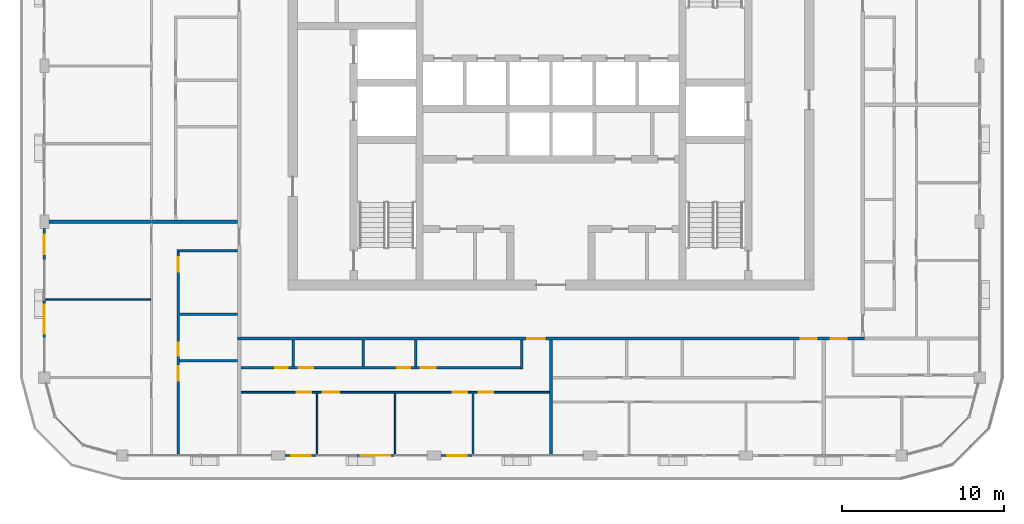
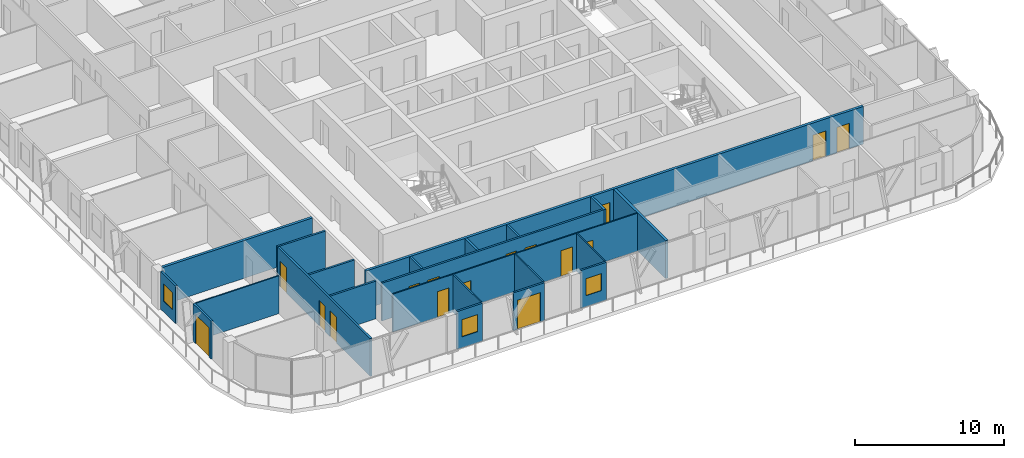
# One storey, part 9 of 22: 22 walls, 16 doors, 3 windows, 19 openings.
"""IFC4 building model written with IfcOpenShell, lengths in metres."""

from ifc_helpers import new_model, si_unit, direction, frame, frame_2d, origin, place, context, subcontext, project, spatial, rectangle, extrude, material, layer, layer_set, type_object, element, fill, save


model = new_model("IFC4")

# Units and contexts
model_context = context("Model", 3, precision=1e-05, world=origin(), true_north=direction((0.0, 1.0)))
body_context = subcontext(model_context, "Body", "Model", "MODEL_VIEW")
ifc_project = project(units=[si_unit("LENGTHUNIT", "METRE"), si_unit("AREAUNIT", "SQUARE_METRE"), si_unit("VOLUMEUNIT", "CUBIC_METRE"), si_unit("PLANEANGLEUNIT", "RADIAN"), si_unit("MASSUNIT", "GRAM", prefix="KILO")], contexts=[model_context])

# Site, building, storey
site_placement = place(None, origin())
site = spatial("IfcSite", under=ifc_project, at=site_placement, CompositionType="ELEMENT")
building_placement = place(site_placement, origin())
building = spatial("IfcBuilding", under=site, at=building_placement, Name="Madar Terraces", CompositionType="ELEMENT")
storey_placement = place(building_placement, frame((0.0, 0.0, 259.699951171875)))
storey = spatial("IfcBuildingStorey", under=building, at=storey_placement, Name="L68", CompositionType="ELEMENT", Elevation=259.699951171875)

# Wall, opening, window
ifc_material_1 = material(Name="Aluminium composite panel, black, over insulated backing", Category="aluminium")
ifc_layer_1 = layer(ifc_material_1, 0.14990234375)
ifc_layer_set_1 = layer_set([ifc_layer_1], Name="Facade bay panel 150")
wall_type_1 = type_object("IfcWallType", Name="Facade bay panel 150", PredefinedType="SOLIDWALL", material=ifc_layer_set_1)
wall_1_placement = place(storey_placement, frame((14.824951171875, 4.800048828125, 0.0), z_axis=(0.0, 0.0, 1.0), x_axis=(1.0, 0.0, 0.0)))
wall_1 = element("IfcWall", 1, at=wall_1_placement, inside=storey, type_object=wall_type_1, Name="Facade bay panel", PredefinedType="SOLIDWALL", context=body_context, shape_type="SweptSolid", body=[
    extrude(rectangle(XDim=1.97509765625, YDim=0.14990234375, at=frame_2d((0.987548828125, 0.0))), origin(), (0.0, 0.0, 1.0), 3.10009765625),
])
opening_1_placement = place(wall_1_placement, frame((0.387451171875, 0.0, 0.89990234375)))
opening_1 = element("IfcOpeningElement", 2, at=opening_1_placement, cuts=wall_1, Name="Opening W1", PredefinedType="OPENING", context=body_context, shape_type="SweptSolid", body=[
    extrude(rectangle(XDim=1.199951171875, YDim=1.39990234375, at=frame_2d((0.60009765625, 0.699951171875))), frame((0.0, 0.0849609375, 0.0), z_axis=(0.0, -1.0, 0.0), x_axis=(1.0, 0.0, 0.0)), (0.0, 0.0, 1.0), 0.169921875),
])
ifc_material_2 = material(Name="Glass, clear, with black aluminium frame", Category="aluminium")
window_type = type_object("IfcWindowType", Name="Vent window 1200 x 1400", PartitioningType="SINGLE_PANEL", PredefinedType="WINDOW", material=ifc_material_2)
window_1_placement = place(opening_1_placement, origin())
window_1 = element("IfcWindow", 3, at=window_1_placement, inside=storey, type_object=window_type, Name="Operable vent window", OverallHeight=1.39990234375, OverallWidth=1.199951171875, PartitioningType="SINGLE_PANEL", PredefinedType="WINDOW", context=body_context, shape_type="SweptSolid", body=[
    extrude(rectangle(XDim=1.199951171875, YDim=1.39990234375, at=frame_2d((0.60009765625, 0.699951171875))), frame((0.0, 0.030029296875, 0.0), z_axis=(0.0, -1.0, 0.0), x_axis=(1.0, 0.0, 0.0)), (0.0, 0.0, 1.0), 0.06005859375),
])
fill(opening_1, window_1)

# Wall, opening, door
wall_2_placement = place(storey_placement, frame((19.199951171875, 4.800048828125, 0.0), z_axis=(0.0, 0.0, 1.0), x_axis=(1.0, 0.0, 0.0)))
wall_2 = element("IfcWall", 4, at=wall_2_placement, inside=storey, type_object=wall_type_1, Name="Facade bay panel", PredefinedType="SOLIDWALL", context=body_context, shape_type="SweptSolid", body=[
    extrude(rectangle(XDim=2.400146484375, YDim=0.14990234375, at=frame_2d((1.2001953125, 0.0))), origin(), (0.0, 0.0, 1.0), 3.10009765625),
])
opening_2_placement = place(wall_2_placement, frame((0.300048828125, 0.0, 0.0)))
opening_2 = element("IfcOpeningElement", 5, at=opening_2_placement, cuts=wall_2, Name="Opening ED1", PredefinedType="OPENING", context=body_context, shape_type="SweptSolid", body=[
    extrude(rectangle(XDim=1.800048828125, YDim=2.39990234375, at=frame_2d((0.89990234375, 1.199951171875))), frame((0.0, 0.0849609375, 0.0), z_axis=(0.0, -1.0, 0.0), x_axis=(1.0, 0.0, 0.0)), (0.0, 0.0, 1.0), 0.169921875),
])
ifc_material_3 = material(Name="Glass, clear, with black aluminium frame", Category="aluminium")
door_type_1 = type_object("IfcDoorType", Name="Balcony and terrace sliding door 1800 x 2400", OperationType="SLIDING_TO_LEFT", PredefinedType="DOOR", material=ifc_material_3)
door_1_placement = place(opening_2_placement, origin())
door_1 = element("IfcDoor", 6, at=door_1_placement, inside=storey, type_object=door_type_1, Name="Balcony door", OperationType="SLIDING_TO_LEFT", OverallHeight=2.39990234375, OverallWidth=1.800048828125, PredefinedType="DOOR", context=body_context, shape_type="SweptSolid", body=[
    extrude(rectangle(XDim=1.800048828125, YDim=2.39990234375, at=frame_2d((0.89990234375, 1.199951171875))), frame((0.0, 0.02490234375, 0.0), z_axis=(0.0, -1.0, 0.0), x_axis=(1.0, 0.0, 0.0)), (0.0, 0.0, 1.0), 0.050048828125),
])
fill(opening_2, door_1)

# Wall, opening, window
wall_3_placement = place(storey_placement, frame((24.425048828125, 4.800048828125, 0.0), z_axis=(0.0, 0.0, 1.0), x_axis=(1.0, 0.0, 0.0)))
wall_3 = element("IfcWall", 7, at=wall_3_placement, inside=storey, type_object=wall_type_1, Name="Facade bay panel", PredefinedType="SOLIDWALL", context=body_context, shape_type="SweptSolid", body=[
    extrude(rectangle(XDim=1.974853515625, YDim=0.14990234375, at=frame_2d((0.9873046875, 0.0))), origin(), (0.0, 0.0, 1.0), 3.10009765625),
])
opening_3_placement = place(wall_3_placement, frame((0.387451171875, 0.0, 0.89990234375)))
opening_3 = element("IfcOpeningElement", 8, at=opening_3_placement, cuts=wall_3, Name="Opening W1", PredefinedType="OPENING", context=body_context, shape_type="SweptSolid", body=[
    extrude(rectangle(XDim=1.199951171875, YDim=1.39990234375, at=frame_2d((0.60009765625, 0.699951171875))), frame((0.0, 0.0849609375, 0.0), z_axis=(0.0, -1.0, 0.0), x_axis=(1.0, 0.0, 0.0)), (0.0, 0.0, 1.0), 0.169921875),
])
window_2_placement = place(opening_3_placement, origin())
window_2 = element("IfcWindow", 9, at=window_2_placement, inside=storey, type_object=window_type, Name="Operable vent window", OverallHeight=1.39990234375, OverallWidth=1.199951171875, PartitioningType="SINGLE_PANEL", PredefinedType="WINDOW", context=body_context, shape_type="SweptSolid", body=[
    extrude(rectangle(XDim=1.199951171875, YDim=1.39990234375, at=frame_2d((0.60009765625, 0.699951171875))), frame((0.0, 0.030029296875, 0.0), z_axis=(0.0, -1.0, 0.0), x_axis=(1.0, 0.0, 0.0)), (0.0, 0.0, 1.0), 0.06005859375),
])
fill(opening_3, window_2)

wall_4_placement = place(storey_placement, frame((0.0, 18.77490234375, 0.0), z_axis=(0.0, 0.0, 1.0), x_axis=(0.0, -1.0, 0.0)))
wall_4 = element("IfcWall", 10, at=wall_4_placement, inside=storey, type_object=wall_type_1, Name="Facade bay panel", PredefinedType="SOLIDWALL", context=body_context, shape_type="SweptSolid", body=[
    extrude(rectangle(XDim=1.974853515625, YDim=0.14990234375, at=frame_2d((0.9873046875, 0.0))), origin(), (0.0, 0.0, 1.0), 3.10009765625),
])
opening_4_placement = place(wall_4_placement, frame((0.387451171875, 0.0, 0.89990234375)))
opening_4 = element("IfcOpeningElement", 11, at=opening_4_placement, cuts=wall_4, Name="Opening W1", PredefinedType="OPENING", context=body_context, shape_type="SweptSolid", body=[
    extrude(rectangle(XDim=1.199951171875, YDim=1.39990234375, at=frame_2d((0.60009765625, 0.699951171875))), frame((0.0, 0.0849609375, 0.0), z_axis=(0.0, -1.0, 0.0), x_axis=(1.0, 0.0, 0.0)), (0.0, 0.0, 1.0), 0.169921875),
])
window_3_placement = place(opening_4_placement, origin())
window_3 = element("IfcWindow", 12, at=window_3_placement, inside=storey, type_object=window_type, Name="Operable vent window", OverallHeight=1.39990234375, OverallWidth=1.199951171875, PartitioningType="SINGLE_PANEL", PredefinedType="WINDOW", context=body_context, shape_type="SweptSolid", body=[
    extrude(rectangle(XDim=1.199951171875, YDim=1.39990234375, at=frame_2d((0.60009765625, 0.699951171875))), frame((0.0, 0.030029296875, 0.0), z_axis=(0.0, -1.0, 0.0), x_axis=(1.0, 0.0, 0.0)), (0.0, 0.0, 1.0), 0.06005859375),
])
fill(opening_4, window_3)

# Wall, opening, door
wall_5_placement = place(storey_placement, frame((0.0, 14.39990234375, 0.0), z_axis=(0.0, 0.0, 1.0), x_axis=(0.0, -1.0, 0.0)))
wall_5 = element("IfcWall", 13, at=wall_5_placement, inside=storey, type_object=wall_type_1, Name="Facade bay panel", PredefinedType="SOLIDWALL", context=body_context, shape_type="SweptSolid", body=[
    extrude(rectangle(XDim=2.39990234375, YDim=0.14990234375, at=frame_2d((1.199951171875, 0.0))), origin(), (0.0, 0.0, 1.0), 3.10009765625),
])
opening_5_placement = place(wall_5_placement, frame((0.300048828125, 0.0, 0.0)))
opening_5 = element("IfcOpeningElement", 14, at=opening_5_placement, cuts=wall_5, Name="Opening ED1", PredefinedType="OPENING", context=body_context, shape_type="SweptSolid", body=[
    extrude(rectangle(XDim=1.800048828125, YDim=2.39990234375, at=frame_2d((0.89990234375, 1.199951171875))), frame((0.0, 0.0849609375, 0.0), z_axis=(0.0, -1.0, 0.0), x_axis=(1.0, 0.0, 0.0)), (0.0, 0.0, 1.0), 0.169921875),
])
door_2_placement = place(opening_5_placement, origin())
door_2 = element("IfcDoor", 15, at=door_2_placement, inside=storey, type_object=door_type_1, Name="Balcony door", OperationType="SLIDING_TO_RIGHT", OverallHeight=2.39990234375, OverallWidth=1.800048828125, PredefinedType="DOOR", context=body_context, shape_type="SweptSolid", body=[
    extrude(rectangle(XDim=1.800048828125, YDim=2.39990234375, at=frame_2d((0.89990234375, 1.199951171875))), frame((0.0, 0.02490234375, 0.0), z_axis=(0.0, -1.0, 0.0), x_axis=(1.0, 0.0, 0.0)), (0.0, 0.0, 1.0), 0.050048828125),
])
fill(opening_5, door_2)

# Walls
ifc_material_4 = material(Name="Gypsum board on steel studs", Category="steel")
ifc_layer_2 = layer(ifc_material_4, 0.10009765625)
ifc_layer_set_2 = layer_set([ifc_layer_2], Name="Flat partition 100")
wall_type_2 = type_object("IfcWallType", Name="Flat partition 100", PredefinedType="PARTITIONING", material=ifc_layer_set_2)
for number, where, z_axis, x_axis, name in (
    (16, (26.39990234375, 8.64990234375, 0.0), (0.0, 0.0, 1.0), (0.0, -1.0, 0.0), "Flat partition 100"),
    (17, (21.60009765625, 8.64990234375, 0.0), (0.0, 0.0, 1.0), (0.0, -1.0, 0.0), "Flat partition 100"),
    (18, (16.800048828125, 8.64990234375, 0.0), (0.0, 0.0, 1.0), (0.0, -1.0, 0.0), "Flat partition 100"),
):
    element("IfcWall", number, at=place(storey_placement, frame(where, z_axis=z_axis, x_axis=x_axis)), inside=storey, type_object=wall_type_2, Name=name, PredefinedType="PARTITIONING", context=body_context, shape_type="SweptSolid", body=[
        extrude(rectangle(XDim=3.75, YDim=0.10009765625, at=frame_2d((1.875, 0.0))), origin(), (0.0, 0.0, 1.0), 3.10009765625),
    ])

# Wall, openings, doors
wall_6_placement = place(storey_placement, frame((31.10009765625, 8.699951171875, 0.0), z_axis=(0.0, 0.0, 1.0), x_axis=(-1.0, 0.0, 0.0)))
wall_6 = element("IfcWall", 19, at=wall_6_placement, inside=storey, type_object=wall_type_2, Name="Flat partition 100", PredefinedType="PARTITIONING", context=body_context, shape_type="SweptSolid", body=[
    extrude(rectangle(XDim=19.0, YDim=0.10009765625, at=frame_2d((9.5, 0.0))), origin(), (0.0, 0.0, 1.0), 3.10009765625),
])
opening_6_placement = place(wall_6_placement, frame((3.449951171875, 0.0, 0.0)))
opening_6 = element("IfcOpeningElement", 20, at=opening_6_placement, cuts=wall_6, Name="Opening D2", PredefinedType="OPENING", context=body_context, shape_type="SweptSolid", body=[
    extrude(rectangle(XDim=0.89990234375, YDim=2.10009765625, at=frame_2d((0.449951171875, 1.050048828125))), frame((0.0, 0.06005859375, 0.0), z_axis=(0.0, -1.0, 0.0), x_axis=(1.0, 0.0, 0.0)), (0.0, 0.0, 1.0), 0.1201171875),
])
opening_7_placement = place(wall_6_placement, frame((5.050048828125, 0.0, 0.0)))
opening_7 = element("IfcOpeningElement", 21, at=opening_7_placement, cuts=wall_6, Name="Opening D2", PredefinedType="OPENING", context=body_context, shape_type="SweptSolid", body=[
    extrude(rectangle(XDim=0.89990234375, YDim=2.10009765625, at=frame_2d((0.449951171875, 1.050048828125))), frame((0.0, 0.06005859375, 0.0), z_axis=(0.0, -1.0, 0.0), x_axis=(1.0, 0.0, 0.0)), (0.0, 0.0, 1.0), 0.1201171875),
])
opening_8_placement = place(wall_6_placement, frame((12.949951171875, 0.0, 0.0)))
opening_8 = element("IfcOpeningElement", 22, at=opening_8_placement, cuts=wall_6, Name="Opening D3", PredefinedType="OPENING", context=body_context, shape_type="SweptSolid", body=[
    extrude(rectangle(XDim=1.0, YDim=2.10009765625, at=frame_2d((0.5, 1.050048828125))), frame((0.0, 0.06005859375, 0.0), z_axis=(0.0, -1.0, 0.0), x_axis=(1.0, 0.0, 0.0)), (0.0, 0.0, 1.0), 0.1201171875),
])
opening_9_placement = place(wall_6_placement, frame((14.64990234375, 0.0, 0.0)))
opening_9 = element("IfcOpeningElement", 23, at=opening_9_placement, cuts=wall_6, Name="Opening D2", PredefinedType="OPENING", context=body_context, shape_type="SweptSolid", body=[
    extrude(rectangle(XDim=0.89990234375, YDim=2.10009765625, at=frame_2d((0.449951171875, 1.050048828125))), frame((0.0, 0.06005859375, 0.0), z_axis=(0.0, -1.0, 0.0), x_axis=(1.0, 0.0, 0.0)), (0.0, 0.0, 1.0), 0.1201171875),
])
ifc_material_5 = material(Name="Timber door leaf", Category="wood")
door_type_2 = type_object("IfcDoorType", Name="Flat living room door 1000", OperationType="NOTDEFINED", PredefinedType="DOOR", material=ifc_material_5)
door_3_placement = place(opening_8_placement, origin())
door_3 = element("IfcDoor", 24, at=door_3_placement, inside=storey, type_object=door_type_2, Name="Flat living room door 1000", OperationType="SINGLE_SWING_RIGHT", OverallHeight=2.10009765625, OverallWidth=1.0, PredefinedType="DOOR", context=body_context, shape_type="SweptSolid", body=[
    extrude(rectangle(XDim=1.0, YDim=2.10009765625, at=frame_2d((0.5, 1.050048828125))), frame((0.0, 0.02490234375, 0.0), z_axis=(0.0, -1.0, 0.0), x_axis=(1.0, 0.0, 0.0)), (0.0, 0.0, 1.0), 0.050048828125),
])
fill(opening_8, door_3)
ifc_material_6 = material(Name="Timber door leaf", Category="wood")
door_type_3 = type_object("IfcDoorType", Name="Flat room door 900", OperationType="NOTDEFINED", PredefinedType="DOOR", material=ifc_material_6)
door_4_placement = place(opening_6_placement, origin())
door_4 = element("IfcDoor", 25, at=door_4_placement, inside=storey, type_object=door_type_3, Name="Flat room door 900", OperationType="SINGLE_SWING_RIGHT", OverallHeight=2.10009765625, OverallWidth=0.89990234375, PredefinedType="DOOR", context=body_context, shape_type="SweptSolid", body=[
    extrude(rectangle(XDim=0.89990234375, YDim=2.10009765625, at=frame_2d((0.449951171875, 1.050048828125))), frame((0.0, 0.02490234375, 0.0), z_axis=(0.0, -1.0, 0.0), x_axis=(1.0, 0.0, 0.0)), (0.0, 0.0, 1.0), 0.050048828125),
])
fill(opening_6, door_4)
door_5_placement = place(opening_7_placement, origin())
door_5 = element("IfcDoor", 26, at=door_5_placement, inside=storey, type_object=door_type_3, Name="Flat room door 900", OperationType="SINGLE_SWING_LEFT", OverallHeight=2.10009765625, OverallWidth=0.89990234375, PredefinedType="DOOR", context=body_context, shape_type="SweptSolid", body=[
    extrude(rectangle(XDim=0.89990234375, YDim=2.10009765625, at=frame_2d((0.449951171875, 1.050048828125))), frame((0.0, 0.02490234375, 0.0), z_axis=(0.0, -1.0, 0.0), x_axis=(1.0, 0.0, 0.0)), (0.0, 0.0, 1.0), 0.050048828125),
])
fill(opening_7, door_5)
door_6_placement = place(opening_9_placement, origin())
door_6 = element("IfcDoor", 27, at=door_6_placement, inside=storey, type_object=door_type_3, Name="Flat room door 900", OperationType="SINGLE_SWING_LEFT", OverallHeight=2.10009765625, OverallWidth=0.89990234375, PredefinedType="DOOR", context=body_context, shape_type="SweptSolid", body=[
    extrude(rectangle(XDim=0.89990234375, YDim=2.10009765625, at=frame_2d((0.449951171875, 1.050048828125))), frame((0.0, 0.02490234375, 0.0), z_axis=(0.0, -1.0, 0.0), x_axis=(1.0, 0.0, 0.0)), (0.0, 0.0, 1.0), 0.050048828125),
])
fill(opening_9, door_6)

# Wall
wall_7_placement = place(storey_placement, frame((6.550048828125, 14.39990234375, 0.0), z_axis=(0.0, 0.0, 1.0), x_axis=(-1.0, 0.0, 0.0)))
element("IfcWall", 28, at=wall_7_placement, inside=storey, type_object=wall_type_2, Name="Flat partition 100", PredefinedType="PARTITIONING", context=body_context, shape_type="SweptSolid", body=[
    extrude(rectangle(XDim=6.449951171875, YDim=0.10009765625, at=frame_2d((3.22509765625, 0.0))), origin(), (0.0, 0.0, 1.0), 3.10009765625),
])

# Wall, openings, doors
ifc_material_7 = material(Name="Lightweight blockwork", Category="masonry")
ifc_layer_3 = layer(ifc_material_7, 0.199951171875)
ifc_layer_set_3 = layer_set([ifc_layer_3], Name="Flat party and entrance wall 200")
wall_type_3 = type_object("IfcWallType", Name="Flat party and entrance wall 200", PredefinedType="PARTITIONING", material=ifc_layer_set_3)
wall_8_placement = place(storey_placement, frame((50.5, 12.0, 0.0), z_axis=(0.0, 0.0, 1.0), x_axis=(-1.0, 0.0, 0.0)))
wall_8 = element("IfcWall", 29, at=wall_8_placement, inside=storey, type_object=wall_type_3, Name="Flat party and entrance wall 200", PredefinedType="PARTITIONING", context=body_context, shape_type="SweptSolid", body=[
    extrude(rectangle(XDim=38.60009765625, YDim=0.199951171875, at=frame_2d((19.300048828125, 0.0))), origin(), (0.0, 0.0, 1.0), 3.10009765625),
])
opening_10_placement = place(wall_8_placement, frame((19.675048828125, 0.0, 0.0)))
opening_10 = element("IfcOpeningElement", 30, at=opening_10_placement, cuts=wall_8, Name="Opening D6", PredefinedType="OPENING", context=body_context, shape_type="SweptSolid", body=[
    extrude(rectangle(XDim=1.10009765625, YDim=2.10009765625, at=frame_2d((0.550048828125, 1.050048828125))), frame((0.0, 0.10986328125, 0.0), z_axis=(0.0, -1.0, 0.0), x_axis=(1.0, 0.0, 0.0)), (0.0, 0.0, 1.0), 0.219970703125),
])
opening_11_placement = place(wall_8_placement, frame((2.925048828125, 0.0, 0.0)))
opening_11 = element("IfcOpeningElement", 31, at=opening_11_placement, cuts=wall_8, Name="Opening D1", PredefinedType="OPENING", context=body_context, shape_type="SweptSolid", body=[
    extrude(rectangle(XDim=1.0, YDim=2.10009765625, at=frame_2d((0.5, 1.050048828125))), frame((0.0, 0.10986328125, 0.0), z_axis=(0.0, -1.0, 0.0), x_axis=(1.0, 0.0, 0.0)), (0.0, 0.0, 1.0), 0.219970703125),
])
opening_12_placement = place(wall_8_placement, frame((1.074951171875, 0.0, 0.0)))
opening_12 = element("IfcOpeningElement", 32, at=opening_12_placement, cuts=wall_8, Name="Opening D1", PredefinedType="OPENING", context=body_context, shape_type="SweptSolid", body=[
    extrude(rectangle(XDim=1.0, YDim=2.10009765625, at=frame_2d((0.5, 1.050048828125))), frame((0.0, 0.10986328125, 0.0), z_axis=(0.0, -1.0, 0.0), x_axis=(1.0, 0.0, 0.0)), (0.0, 0.0, 1.0), 0.219970703125),
])
ifc_material_8 = material(Name="Timber fire door leaf", Category="wood")
door_type_4 = type_object("IfcDoorType", Name="Flat entrance door 1000 FD30S", OperationType="NOTDEFINED", PredefinedType="DOOR", material=ifc_material_8)
door_7_placement = place(opening_11_placement, origin())
door_7 = element("IfcDoor", 33, at=door_7_placement, inside=storey, type_object=door_type_4, Name="Flat entrance door 1000 FD30S", OperationType="SINGLE_SWING_LEFT", OverallHeight=2.10009765625, OverallWidth=1.0, PredefinedType="DOOR", context=body_context, shape_type="SweptSolid", body=[
    extrude(rectangle(XDim=1.0, YDim=2.10009765625, at=frame_2d((0.5, 1.050048828125))), frame((0.0, 0.02490234375, 0.0), z_axis=(0.0, -1.0, 0.0), x_axis=(1.0, 0.0, 0.0)), (0.0, 0.0, 1.0), 0.050048828125),
])
fill(opening_11, door_7)
door_8_placement = place(opening_12_placement, origin())
door_8 = element("IfcDoor", 34, at=door_8_placement, inside=storey, type_object=door_type_4, Name="Flat entrance door 1000 FD30S", OperationType="SINGLE_SWING_RIGHT", OverallHeight=2.10009765625, OverallWidth=1.0, PredefinedType="DOOR", context=body_context, shape_type="SweptSolid", body=[
    extrude(rectangle(XDim=1.0, YDim=2.10009765625, at=frame_2d((0.5, 1.050048828125))), frame((0.0, 0.02490234375, 0.0), z_axis=(0.0, -1.0, 0.0), x_axis=(1.0, 0.0, 0.0)), (0.0, 0.0, 1.0), 0.050048828125),
])
fill(opening_12, door_8)
ifc_material_9 = material(Name="Timber fire door leaf", Category="wood")
door_type_5 = type_object("IfcDoorType", Name="Flat entrance door 1100 FD30S", OperationType="NOTDEFINED", PredefinedType="DOOR", material=ifc_material_9)
door_9_placement = place(opening_10_placement, origin())
door_9 = element("IfcDoor", 35, at=door_9_placement, inside=storey, type_object=door_type_5, Name="Flat entrance door 1100 FD30S", OperationType="SINGLE_SWING_LEFT", OverallHeight=2.10009765625, OverallWidth=1.10009765625, PredefinedType="DOOR", context=body_context, shape_type="SweptSolid", body=[
    extrude(rectangle(XDim=1.10009765625, YDim=2.10009765625, at=frame_2d((0.550048828125, 1.050048828125))), frame((0.0, 0.02490234375, 0.0), z_axis=(0.0, -1.0, 0.0), x_axis=(1.0, 0.0, 0.0)), (0.0, 0.0, 1.0), 0.050048828125),
])
fill(opening_10, door_9)

# Walls
wall_9_placement = place(storey_placement, frame((31.199951171875, 11.89990234375, 0.0), z_axis=(0.0, 0.0, 1.0), x_axis=(0.0, -1.0, 0.0)))
element("IfcWall", 36, at=wall_9_placement, inside=storey, type_object=wall_type_3, Name="Flat party and entrance wall 200", PredefinedType="PARTITIONING", context=body_context, shape_type="SweptSolid", body=[
    extrude(rectangle(XDim=7.0, YDim=0.199951171875, at=frame_2d((3.5, 0.0))), origin(), (0.0, 0.0, 1.0), 3.10009765625),
])
wall_10_placement = place(storey_placement, frame((0.27490234375, 19.199951171875, 0.0), z_axis=(0.0, 0.0, 1.0), x_axis=(1.0, 0.0, 0.0)))
element("IfcWall", 37, at=wall_10_placement, inside=storey, type_object=wall_type_3, Name="Flat party and entrance wall 200", PredefinedType="PARTITIONING", context=body_context, shape_type="SweptSolid", body=[
    extrude(rectangle(XDim=11.625, YDim=0.199951171875, at=frame_2d((5.8125, 0.0))), origin(), (0.0, 0.0, 1.0), 3.10009765625),
])
ifc_material_10 = material(Name="Lightweight blockwork", Category="masonry")
ifc_layer_4 = layer(ifc_material_10, 0.14990234375)
ifc_layer_set_4 = layer_set([ifc_layer_4], Name="Flat wet-room partition 150")
wall_type_4 = type_object("IfcWallType", Name="Flat wet-room partition 150", PredefinedType="PARTITIONING", material=ifc_layer_set_4)
for number, where, z_axis, x_axis, name in (
    (38, (22.865478515625, 11.89990234375, 0.0), (0.0, 0.0, 1.0), (0.0, -1.0, 0.0), "Flat wet-room partition 150"),
    (39, (19.635986328125, 11.89990234375, 0.0), (0.0, 0.0, 1.0), (0.0, -1.0, 0.0), "Flat wet-room partition 150"),
    (40, (15.32958984375, 11.89990234375, 0.0), (0.0, 0.0, 1.0), (0.0, -1.0, 0.0), "Flat wet-room partition 150"),
):
    element("IfcWall", number, at=place(storey_placement, frame(where, z_axis=z_axis, x_axis=x_axis)), inside=storey, type_object=wall_type_4, Name=name, PredefinedType="PARTITIONING", context=body_context, shape_type="SweptSolid", body=[
        extrude(rectangle(XDim=1.625, YDim=0.14990234375, at=frame_2d((0.8125, 0.0))), origin(), (0.0, 0.0, 1.0), 3.10009765625),
    ])
wall_11_placement = place(storey_placement, frame((29.39990234375, 11.89990234375, 0.0), z_axis=(0.0, 0.0, 1.0), x_axis=(0.0, -1.0, 0.0)))
element("IfcWall", 41, at=wall_11_placement, inside=storey, type_object=wall_type_4, Name="Flat wet-room partition 150", PredefinedType="PARTITIONING", context=body_context, shape_type="SweptSolid", body=[
    extrude(rectangle(XDim=1.77490234375, YDim=0.14990234375, at=frame_2d((0.887451171875, 0.0))), origin(), (0.0, 0.0, 1.0), 3.10009765625),
])

# Wall, openings, doors
wall_12_placement = place(storey_placement, frame((12.10009765625, 10.199951171875, 0.0), z_axis=(0.0, 0.0, 1.0), x_axis=(1.0, 0.0, 0.0)))
wall_12 = element("IfcWall", 42, at=wall_12_placement, inside=storey, type_object=wall_type_4, Name="Flat wet-room partition 150", PredefinedType="PARTITIONING", context=body_context, shape_type="SweptSolid", body=[
    extrude(rectangle(XDim=17.224853515625, YDim=0.14990234375, at=frame_2d((8.6123046875, 0.0))), origin(), (0.0, 0.0, 1.0), 3.10009765625),
])
opening_13_placement = place(wall_12_placement, frame((11.090576171875, 0.0, 0.0)))
opening_13 = element("IfcOpeningElement", 43, at=opening_13_placement, cuts=wall_12, Name="Opening D2", PredefinedType="OPENING", context=body_context, shape_type="SweptSolid", body=[
    extrude(rectangle(XDim=0.89990234375, YDim=2.10009765625, at=frame_2d((0.449951171875, 1.050048828125))), frame((0.0, 0.0849609375, 0.0), z_axis=(0.0, -1.0, 0.0), x_axis=(1.0, 0.0, 0.0)), (0.0, 0.0, 1.0), 0.169921875),
])
opening_14_placement = place(wall_12_placement, frame((9.640625, 0.0, 0.0)))
opening_14 = element("IfcOpeningElement", 44, at=opening_14_placement, cuts=wall_12, Name="Opening D7", PredefinedType="OPENING", context=body_context, shape_type="SweptSolid", body=[
    extrude(rectangle(XDim=0.800048828125, YDim=2.10009765625, at=frame_2d((0.39990234375, 1.050048828125))), frame((0.0, 0.0849609375, 0.0), z_axis=(0.0, -1.0, 0.0), x_axis=(1.0, 0.0, 0.0)), (0.0, 0.0, 1.0), 0.169921875),
])
opening_15_placement = place(wall_12_placement, frame((3.5546875, 0.0, 0.0)))
opening_15 = element("IfcOpeningElement", 45, at=opening_15_placement, cuts=wall_12, Name="Opening D5", PredefinedType="OPENING", context=body_context, shape_type="SweptSolid", body=[
    extrude(rectangle(XDim=0.89990234375, YDim=2.10009765625, at=frame_2d((0.449951171875, 1.050048828125))), frame((0.0, 0.0849609375, 0.0), z_axis=(0.0, -1.0, 0.0), x_axis=(1.0, 0.0, 0.0)), (0.0, 0.0, 1.0), 0.169921875),
])
opening_16_placement = place(wall_12_placement, frame((2.104736328125, 0.0, 0.0)))
opening_16 = element("IfcOpeningElement", 46, at=opening_16_placement, cuts=wall_12, Name="Opening D4", PredefinedType="OPENING", context=body_context, shape_type="SweptSolid", body=[
    extrude(rectangle(XDim=0.800048828125, YDim=2.10009765625, at=frame_2d((0.39990234375, 1.050048828125))), frame((0.0, 0.0849609375, 0.0), z_axis=(0.0, -1.0, 0.0), x_axis=(1.0, 0.0, 0.0)), (0.0, 0.0, 1.0), 0.169921875),
])
ifc_material_11 = material(Name="Timber door leaf", Category="wood")
door_type_6 = type_object("IfcDoorType", Name="Flat accessible bathroom door 900", OperationType="NOTDEFINED", PredefinedType="DOOR", material=ifc_material_11)
door_10_placement = place(opening_15_placement, origin())
door_10 = element("IfcDoor", 47, at=door_10_placement, inside=storey, type_object=door_type_6, Name="Flat accessible bathroom door 900", OperationType="SINGLE_SWING_LEFT", OverallHeight=2.10009765625, OverallWidth=0.89990234375, PredefinedType="DOOR", context=body_context, shape_type="SweptSolid", body=[
    extrude(rectangle(XDim=0.89990234375, YDim=2.10009765625, at=frame_2d((0.449951171875, 1.050048828125))), frame((0.0, 0.02490234375, 0.0), z_axis=(0.0, -1.0, 0.0), x_axis=(1.0, 0.0, 0.0)), (0.0, 0.0, 1.0), 0.050048828125),
])
fill(opening_15, door_10)
ifc_material_12 = material(Name="Timber door leaf", Category="wood")
door_type_7 = type_object("IfcDoorType", Name="Flat bathroom door 800", OperationType="NOTDEFINED", PredefinedType="DOOR", material=ifc_material_12)
door_11_placement = place(opening_16_placement, origin())
door_11 = element("IfcDoor", 48, at=door_11_placement, inside=storey, type_object=door_type_7, Name="Flat bathroom door 800", OperationType="SINGLE_SWING_RIGHT", OverallHeight=2.10009765625, OverallWidth=0.800048828125, PredefinedType="DOOR", context=body_context, shape_type="SweptSolid", body=[
    extrude(rectangle(XDim=0.800048828125, YDim=2.10009765625, at=frame_2d((0.39990234375, 1.050048828125))), frame((0.0, 0.02490234375, 0.0), z_axis=(0.0, -1.0, 0.0), x_axis=(1.0, 0.0, 0.0)), (0.0, 0.0, 1.0), 0.050048828125),
])
fill(opening_16, door_11)
door_12_placement = place(opening_13_placement, origin())
door_12 = element("IfcDoor", 49, at=door_12_placement, inside=storey, type_object=door_type_3, Name="Flat room door 900", OperationType="SINGLE_SWING_LEFT", OverallHeight=2.10009765625, OverallWidth=0.89990234375, PredefinedType="DOOR", context=body_context, shape_type="SweptSolid", body=[
    extrude(rectangle(XDim=0.89990234375, YDim=2.10009765625, at=frame_2d((0.449951171875, 1.050048828125))), frame((0.0, 0.02490234375, 0.0), z_axis=(0.0, -1.0, 0.0), x_axis=(1.0, 0.0, 0.0)), (0.0, 0.0, 1.0), 0.050048828125),
])
fill(opening_13, door_12)
ifc_material_13 = material(Name="Timber door leaf", Category="wood")
door_type_8 = type_object("IfcDoorType", Name="Flat utility door 800", OperationType="NOTDEFINED", PredefinedType="DOOR", material=ifc_material_13)
door_13_placement = place(opening_14_placement, origin())
door_13 = element("IfcDoor", 50, at=door_13_placement, inside=storey, type_object=door_type_8, Name="Flat utility door 800", OperationType="SINGLE_SWING_RIGHT", OverallHeight=2.10009765625, OverallWidth=0.800048828125, PredefinedType="DOOR", context=body_context, shape_type="SweptSolid", body=[
    extrude(rectangle(XDim=0.800048828125, YDim=2.10009765625, at=frame_2d((0.39990234375, 1.050048828125))), frame((0.0, 0.02490234375, 0.0), z_axis=(0.0, -1.0, 0.0), x_axis=(1.0, 0.0, 0.0)), (0.0, 0.0, 1.0), 0.050048828125),
])
fill(opening_14, door_13)

# Walls
for number, where, z_axis, x_axis, name in (
    (51, (11.89990234375, 13.501953125, 0.0), (0.0, 0.0, 1.0), (-1.0, 0.0, 0.0), "Flat wet-room partition 150"),
    (52, (11.89990234375, 10.634521484375, 0.0), (0.0, 0.0, 1.0), (-1.0, 0.0, 0.0), "Flat wet-room partition 150"),
):
    element("IfcWall", number, at=place(storey_placement, frame(where, z_axis=z_axis, x_axis=x_axis)), inside=storey, type_object=wall_type_4, Name=name, PredefinedType="PARTITIONING", context=body_context, shape_type="SweptSolid", body=[
        extrude(rectangle(XDim=3.574951171875, YDim=0.14990234375, at=frame_2d((1.78759765625, 0.0))), origin(), (0.0, 0.0, 1.0), 3.10009765625),
    ])
wall_13_placement = place(storey_placement, frame((11.89990234375, 17.39990234375, 0.0), z_axis=(0.0, 0.0, 1.0), x_axis=(-1.0, 0.0, 0.0)))
element("IfcWall", 53, at=wall_13_placement, inside=storey, type_object=wall_type_4, Name="Flat wet-room partition 150", PredefinedType="PARTITIONING", context=body_context, shape_type="SweptSolid", body=[
    extrude(rectangle(XDim=3.724853515625, YDim=0.14990234375, at=frame_2d((1.8623046875, 0.0))), origin(), (0.0, 0.0, 1.0), 3.10009765625),
])

# Wall, openings, doors
wall_14_placement = place(storey_placement, frame((8.25, 17.324951171875, 0.0), z_axis=(0.0, 0.0, 1.0), x_axis=(0.0, -1.0, 0.0)))
wall_14 = element("IfcWall", 54, at=wall_14_placement, inside=storey, type_object=wall_type_4, Name="Flat wet-room partition 150", PredefinedType="PARTITIONING", context=body_context, shape_type="SweptSolid", body=[
    extrude(rectangle(XDim=12.425048828125, YDim=0.14990234375, at=frame_2d((6.21240234375, 0.0))), origin(), (0.0, 0.0, 1.0), 3.10009765625),
])
opening_17_placement = place(wall_14_placement, frame((0.300048828125, 0.0, 0.0)))
opening_17 = element("IfcOpeningElement", 55, at=opening_17_placement, cuts=wall_14, Name="Opening D5", PredefinedType="OPENING", context=body_context, shape_type="SweptSolid", body=[
    extrude(rectangle(XDim=0.89990234375, YDim=2.10009765625, at=frame_2d((0.449951171875, 1.050048828125))), frame((0.0, 0.0849609375, 0.0), z_axis=(0.0, -1.0, 0.0), x_axis=(1.0, 0.0, 0.0)), (0.0, 0.0, 1.0), 0.169921875),
])
opening_18_placement = place(wall_14_placement, frame((5.5654296875, 0.0, 0.0)))
opening_18 = element("IfcOpeningElement", 56, at=opening_18_placement, cuts=wall_14, Name="Opening D4", PredefinedType="OPENING", context=body_context, shape_type="SweptSolid", body=[
    extrude(rectangle(XDim=0.800048828125, YDim=2.10009765625, at=frame_2d((0.39990234375, 1.050048828125))), frame((0.0, 0.0849609375, 0.0), z_axis=(0.0, -1.0, 0.0), x_axis=(1.0, 0.0, 0.0)), (0.0, 0.0, 1.0), 0.169921875),
])
opening_19_placement = place(wall_14_placement, frame((7.015380859375, 0.0, 0.0)))
opening_19 = element("IfcOpeningElement", 57, at=opening_19_placement, cuts=wall_14, Name="Opening D2", PredefinedType="OPENING", context=body_context, shape_type="SweptSolid", body=[
    extrude(rectangle(XDim=0.89990234375, YDim=2.10009765625, at=frame_2d((0.449951171875, 1.050048828125))), frame((0.0, 0.0849609375, 0.0), z_axis=(0.0, -1.0, 0.0), x_axis=(1.0, 0.0, 0.0)), (0.0, 0.0, 1.0), 0.169921875),
])
door_14_placement = place(opening_17_placement, origin())
door_14 = element("IfcDoor", 58, at=door_14_placement, inside=storey, type_object=door_type_6, Name="Flat accessible bathroom door 900", OperationType="SINGLE_SWING_LEFT", OverallHeight=2.10009765625, OverallWidth=0.89990234375, PredefinedType="DOOR", context=body_context, shape_type="SweptSolid", body=[
    extrude(rectangle(XDim=0.89990234375, YDim=2.10009765625, at=frame_2d((0.449951171875, 1.050048828125))), frame((0.0, 0.02490234375, 0.0), z_axis=(0.0, -1.0, 0.0), x_axis=(1.0, 0.0, 0.0)), (0.0, 0.0, 1.0), 0.050048828125),
])
fill(opening_17, door_14)
door_15_placement = place(opening_18_placement, origin())
door_15 = element("IfcDoor", 59, at=door_15_placement, inside=storey, type_object=door_type_7, Name="Flat bathroom door 800", OperationType="SINGLE_SWING_RIGHT", OverallHeight=2.10009765625, OverallWidth=0.800048828125, PredefinedType="DOOR", context=body_context, shape_type="SweptSolid", body=[
    extrude(rectangle(XDim=0.800048828125, YDim=2.10009765625, at=frame_2d((0.39990234375, 1.050048828125))), frame((0.0, 0.02490234375, 0.0), z_axis=(0.0, -1.0, 0.0), x_axis=(1.0, 0.0, 0.0)), (0.0, 0.0, 1.0), 0.050048828125),
])
fill(opening_18, door_15)
door_16_placement = place(opening_19_placement, origin())
door_16 = element("IfcDoor", 60, at=door_16_placement, inside=storey, type_object=door_type_3, Name="Flat room door 900", OperationType="SINGLE_SWING_LEFT", OverallHeight=2.10009765625, OverallWidth=0.89990234375, PredefinedType="DOOR", context=body_context, shape_type="SweptSolid", body=[
    extrude(rectangle(XDim=0.89990234375, YDim=2.10009765625, at=frame_2d((0.449951171875, 1.050048828125))), frame((0.0, 0.02490234375, 0.0), z_axis=(0.0, -1.0, 0.0), x_axis=(1.0, 0.0, 0.0)), (0.0, 0.0, 1.0), 0.050048828125),
])
fill(opening_19, door_16)

save(model, "model.ifc")
